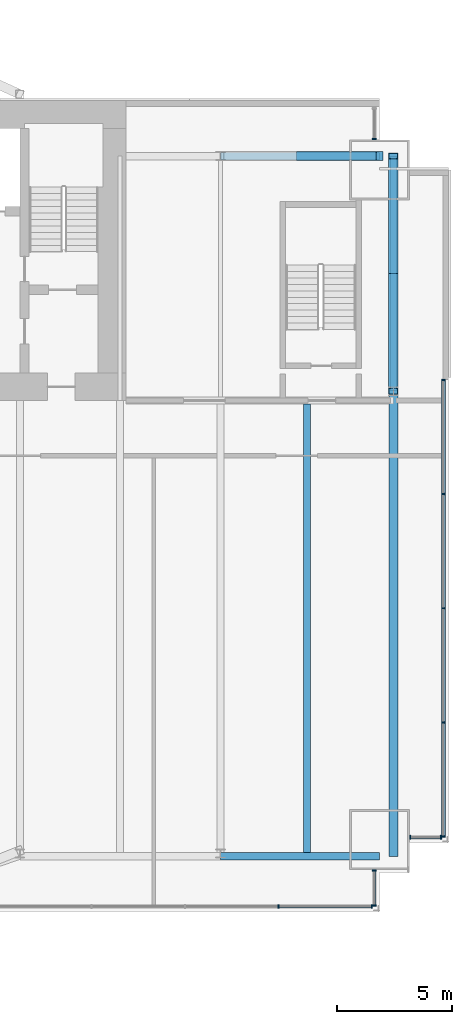
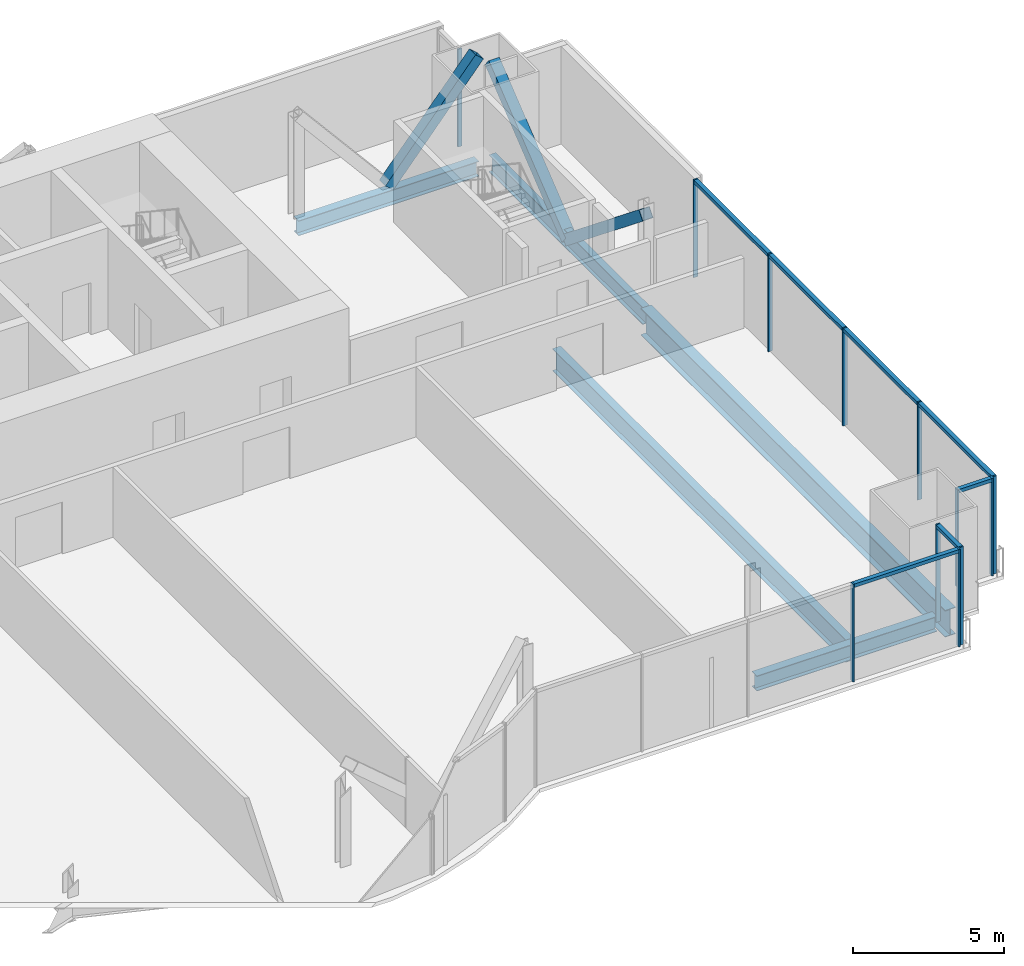
# One storey, part 12 of 21: 22 members, 5 beams, 5 elements without a shape of their own.
"""IFC4 building model written with IfcOpenShell, lengths in metres."""

from ifc_helpers import new_model, si_unit, direction, frame, origin, origin_2d, place, context, subcontext, project, spatial, rectangle, hollow_rectangle, i_section, extrude, material, material_profile, profile_set, type_object, element, aggregate, save


model = new_model("IFC4")

# Units and contexts
model_context = context("Model", 3, precision=1e-05, world=origin(), true_north=direction((0.0, 1.0)))
body_context = subcontext(model_context, "Body", "Model", "MODEL_VIEW")
ifc_project = project(units=[si_unit("LENGTHUNIT", "METRE"), si_unit("AREAUNIT", "SQUARE_METRE"), si_unit("VOLUMEUNIT", "CUBIC_METRE"), si_unit("PLANEANGLEUNIT", "RADIAN"), si_unit("MASSUNIT", "GRAM", prefix="KILO")], contexts=[model_context])

# Site, building, storey
site_placement = place(None, origin())
site = spatial("IfcSite", under=ifc_project, at=site_placement, CompositionType="ELEMENT")
building_placement = place(site_placement, origin())
building = spatial("IfcBuilding", under=site, at=building_placement, Name="Bicima Exchange Tower", CompositionType="ELEMENT")
storey_placement = place(building_placement, frame((0.0, 0.0, 156.800048828125)))
storey = spatial("IfcBuildingStorey", under=building, at=storey_placement, Name="L34", CompositionType="ELEMENT", Elevation=156.800048828125)

# Curtain wall, members
ifc_material_1 = material(Name="Anodised bronze aluminium", Category="aluminium")
curtain_wall_type_1 = type_object("IfcCurtainWallType", Name="End face glass wall", PredefinedType="NOTDEFINED", material=ifc_material_1)
curtain_wall_1_placement = place(storey_placement, origin())
curtain_wall_1 = element("IfcCurtainWall", 1, at=curtain_wall_1_placement, inside=storey, type_object=curtain_wall_type_1, Name="End face glass wall L34 run 19", PredefinedType="NOTDEFINED")
ifc_material_profile_1 = material_profile(ifc_material_1, rectangle(XDim=0.159912109375, YDim=0.06005859375, at=origin_2d()))
ifc_profile_set_1 = profile_set([ifc_material_profile_1], Name="Anodised bronze aluminium")
member_type_1 = type_object("IfcMemberType", Name="End face glass wall mullion 60 x 160", PredefinedType="MULLION", material=ifc_profile_set_1)
member_1_placement = place(storey_placement, frame((35.77001953125, -31.907958984375, 0.0), z_axis=(0.0, 0.0, 1.0), x_axis=(-1.0, 0.0, 0.0)))
member_1 = element("IfcMember", 2, at=member_1_placement, type_object=member_type_1, Name="End face glass wall mullion 1", PredefinedType="MULLION", context=body_context, shape_type="SweptSolid", body=[
    extrude(rectangle(XDim=0.159912109375, YDim=0.06005859375, at=origin_2d()), origin(), (0.0, 0.0, 1.0), 3.949951171875),
])
member_2_placement = place(storey_placement, frame((35.77001953125, -26.95849609375, 0.0), z_axis=(0.0, 0.0, 1.0), x_axis=(-1.0, 0.0, 0.0)))
member_2 = element("IfcMember", 3, at=member_2_placement, type_object=member_type_1, Name="End face glass wall mullion 2", PredefinedType="MULLION", context=body_context, shape_type="SweptSolid", body=[
    extrude(rectangle(XDim=0.159912109375, YDim=0.06005859375, at=origin_2d()), origin(), (0.0, 0.0, 1.0), 3.949951171875),
])
member_3_placement = place(storey_placement, frame((35.77001953125, -22.009033203125, 0.0), z_axis=(0.0, 0.0, 1.0), x_axis=(-1.0, 0.0, 0.0)))
member_3 = element("IfcMember", 4, at=member_3_placement, type_object=member_type_1, Name="End face glass wall mullion 3", PredefinedType="MULLION", context=body_context, shape_type="SweptSolid", body=[
    extrude(rectangle(XDim=0.159912109375, YDim=0.06005859375, at=origin_2d()), origin(), (0.0, 0.0, 1.0), 3.949951171875),
])
member_4_placement = place(storey_placement, frame((35.77001953125, -17.0595703125, 0.0), z_axis=(0.0, 0.0, 1.0), x_axis=(-1.0, 0.0, 0.0)))
member_4 = element("IfcMember", 5, at=member_4_placement, type_object=member_type_1, Name="End face glass wall mullion 4", PredefinedType="MULLION", context=body_context, shape_type="SweptSolid", body=[
    extrude(rectangle(XDim=0.159912109375, YDim=0.06005859375, at=origin_2d()), origin(), (0.0, 0.0, 1.0), 3.949951171875),
])
member_5_placement = place(storey_placement, frame((35.77001953125, -12.110107421875, 0.0), z_axis=(0.0, 0.0, 1.0), x_axis=(-1.0, 0.0, 0.0)))
member_5 = element("IfcMember", 6, at=member_5_placement, type_object=member_type_1, Name="End face glass wall mullion 5", PredefinedType="MULLION", context=body_context, shape_type="SweptSolid", body=[
    extrude(rectangle(XDim=0.159912109375, YDim=0.06005859375, at=origin_2d()), origin(), (0.0, 0.0, 1.0), 3.949951171875),
])
ifc_material_profile_2 = material_profile(ifc_material_1, rectangle(XDim=0.159912109375, YDim=0.139892578125, at=origin_2d()))
ifc_profile_set_2 = profile_set([ifc_material_profile_2], Name="Anodised bronze aluminium")
member_type_2 = type_object("IfcMemberType", Name="End face glass wall transom 140 x 160", PredefinedType="USERDEFINED", material=ifc_profile_set_2)
member_6_placement = place(storey_placement, frame((35.77001953125, -31.8779296875, 3.8798828125), z_axis=(0.0, 1.0, 0.0), x_axis=(-1.0, 0.0, 0.0)))
member_6 = element("IfcMember", 7, at=member_6_placement, type_object=member_type_2, Name="End face glass wall transom 1.1", ObjectType="TRANSOM", PredefinedType="USERDEFINED", context=body_context, shape_type="SweptSolid", body=[
    extrude(rectangle(XDim=0.159912109375, YDim=0.139892578125, at=origin_2d()), origin(), (0.0, 0.0, 1.0), 4.889404296875),
])
member_7_placement = place(storey_placement, frame((35.77001953125, -26.928466796875, 3.8798828125), z_axis=(0.0, 1.0, 0.0), x_axis=(-1.0, 0.0, 0.0)))
member_7 = element("IfcMember", 8, at=member_7_placement, type_object=member_type_2, Name="End face glass wall transom 2.1", ObjectType="TRANSOM", PredefinedType="USERDEFINED", context=body_context, shape_type="SweptSolid", body=[
    extrude(rectangle(XDim=0.159912109375, YDim=0.139892578125, at=origin_2d()), origin(), (0.0, 0.0, 1.0), 4.889404296875),
])
member_8_placement = place(storey_placement, frame((35.77001953125, -21.97900390625, 3.8798828125), z_axis=(0.0, 1.0, 0.0), x_axis=(-1.0, 0.0, 0.0)))
member_8 = element("IfcMember", 9, at=member_8_placement, type_object=member_type_2, Name="End face glass wall transom 3.1", ObjectType="TRANSOM", PredefinedType="USERDEFINED", context=body_context, shape_type="SweptSolid", body=[
    extrude(rectangle(XDim=0.159912109375, YDim=0.139892578125, at=origin_2d()), origin(), (0.0, 0.0, 1.0), 4.889404296875),
])
member_9_placement = place(storey_placement, frame((35.77001953125, -17.029541015625, 3.8798828125), z_axis=(0.0, 1.0, 0.0), x_axis=(-1.0, 0.0, 0.0)))
member_9 = element("IfcMember", 10, at=member_9_placement, type_object=member_type_2, Name="End face glass wall transom 4.1", ObjectType="TRANSOM", PredefinedType="USERDEFINED", context=body_context, shape_type="SweptSolid", body=[
    extrude(rectangle(XDim=0.159912109375, YDim=0.139892578125, at=origin_2d()), origin(), (0.0, 0.0, 1.0), 4.8896484375),
])
aggregate(curtain_wall_1, [member_1, member_2, member_3, member_4, member_5, member_6, member_7, member_8, member_9])

# Beams
ifc_material_2 = material(Name="Steel ASTM A992 Gr 50", Category="steel")
ifc_material_profile_3 = material_profile(ifc_material_2, i_section(OverallWidth=0.256591796875, OverallDepth=0.693359375, WebThickness=0.014404296875, FlangeThickness=0.023681640625, at=origin_2d()))
ifc_profile_set_3 = profile_set([ifc_material_profile_3], Name="Steel ASTM A992 Gr 50")
beam_type_1 = type_object("IfcBeamType", Name="End girder W27x114", PredefinedType="BEAM", material=ifc_profile_set_3)
beam_1_placement = place(storey_placement, frame((33.60009765625, -2.39990234375, -0.496826171875), z_axis=(0.0, -1.0, 0.0), x_axis=(1.0, 0.0, 0.0)))
element("IfcBeam", 11, at=beam_1_placement, inside=storey, type_object=beam_type_1, Name="End girder", PredefinedType="BEAM", context=body_context, shape_type="SweptSolid", body=[
    extrude(i_section(OverallWidth=0.256591796875, OverallDepth=0.693359375, WebThickness=0.014404296875, FlangeThickness=0.023681640625, at=origin_2d()), origin(), (0.0, 0.0, 1.0), 10.2001953125),
])
ifc_material_profile_4 = material_profile(ifc_material_2, i_section(OverallWidth=0.4013671875, OverallDepth=1.089599609375, WebThickness=0.01806640625, FlangeThickness=0.031005859375, at=origin_2d()))
ifc_profile_set_4 = profile_set([ifc_material_profile_4], Name="Steel ASTM A992 Gr 50")
beam_type_2 = type_object("IfcBeamType", Name="End girder W44x230", PredefinedType="BEAM", material=ifc_profile_set_4)
beam_2_placement = place(storey_placement, frame((33.60009765625, -12.60009765625, -0.69482421875), z_axis=(0.0, -1.0, 0.0), x_axis=(1.0, 0.0, 0.0)))
element("IfcBeam", 12, at=beam_2_placement, inside=storey, type_object=beam_type_2, Name="End girder", PredefinedType="BEAM", context=body_context, shape_type="SweptSolid", body=[
    extrude(i_section(OverallWidth=0.4013671875, OverallDepth=1.089599609375, WebThickness=0.01806640625, FlangeThickness=0.031005859375, at=origin_2d()), origin(), (0.0, 0.0, 1.0), 20.16796875),
])
ifc_material_profile_5 = material_profile(ifc_material_2, i_section(OverallWidth=0.3046875, OverallDepth=0.904296875, WebThickness=0.01513671875, FlangeThickness=0.02001953125, at=origin_2d()))
ifc_profile_set_5 = profile_set([ifc_material_profile_5], Name="Steel ASTM A992 Gr 50")
beam_type_3 = type_object("IfcBeamType", Name="Floor beam W36x135", PredefinedType="JOIST", material=ifc_profile_set_5)
beam_3_placement = place(storey_placement, frame((29.85009765625, -13.15234375, -0.60205078125), z_axis=(0.0, -1.0, 0.0), x_axis=(1.0, 0.0, 0.0)))
element("IfcBeam", 13, at=beam_3_placement, inside=storey, type_object=beam_type_3, Name="Floor beam", PredefinedType="JOIST", context=body_context, shape_type="SweptSolid", body=[
    extrude(i_section(OverallWidth=0.3046875, OverallDepth=0.904296875, WebThickness=0.01513671875, FlangeThickness=0.02001953125, at=origin_2d()), origin(), (0.0, 0.0, 1.0), 19.453125),
])
ifc_material_profile_6 = material_profile(ifc_material_2, i_section(OverallWidth=0.3251953125, OverallDepth=0.612060546875, WebThickness=0.0126953125, FlangeThickness=0.01904296875, at=origin_2d()))
ifc_profile_set_6 = profile_set([ifc_material_profile_6], Name="Steel ASTM A992 Gr 50")
beam_type_4 = type_object("IfcBeamType", Name="Front girder W24x104", PredefinedType="BEAM", material=ifc_profile_set_6)
beam_4_placement = place(storey_placement, frame((26.10009765625, -32.76806640625, -0.4560546875), z_axis=(1.0, 0.0, 0.0), x_axis=(0.0, 1.0, 0.0)))
element("IfcBeam", 14, at=beam_4_placement, inside=storey, type_object=beam_type_4, Name="Front girder", PredefinedType="BEAM", context=body_context, shape_type="SweptSolid", body=[
    extrude(i_section(OverallWidth=0.3251953125, OverallDepth=0.612060546875, WebThickness=0.0126953125, FlangeThickness=0.01904296875, at=origin_2d()), origin(), (0.0, 0.0, 1.0), 6.89990234375),
])

# Curtain wall, members
curtain_wall_type_2 = type_object("IfcCurtainWallType", Name="Front glass wall", PredefinedType="NOTDEFINED", material=ifc_material_1)
curtain_wall_2_placement = place(storey_placement, origin())
curtain_wall_2 = element("IfcCurtainWall", 15, at=curtain_wall_2_placement, inside=storey, type_object=curtain_wall_type_2, Name="Front glass wall L34 run 16", PredefinedType="NOTDEFINED")
member_type_3 = type_object("IfcMemberType", Name="Front glass wall mullion 60 x 160", PredefinedType="MULLION", material=ifc_profile_set_1)
member_10_placement = place(storey_placement, frame((28.610595703125, -34.93798828125, 0.0), z_axis=(0.0, 0.0, 1.0), x_axis=(0.0, 1.0, 0.0)))
member_10 = element("IfcMember", 16, at=member_10_placement, type_object=member_type_3, Name="Front glass wall mullion 4", PredefinedType="MULLION", context=body_context, shape_type="SweptSolid", body=[
    extrude(rectangle(XDim=0.159912109375, YDim=0.06005859375, at=origin_2d()), origin(), (0.0, 0.0, 1.0), 3.949951171875),
])
member_11_placement = place(storey_placement, frame((32.659912109375, -34.93798828125, 0.0), z_axis=(0.0, 0.0, 1.0), x_axis=(0.0, 1.0, 0.0)))
member_11 = element("IfcMember", 17, at=member_11_placement, type_object=member_type_3, Name="Front glass wall mullion 5", PredefinedType="MULLION", context=body_context, shape_type="SweptSolid", body=[
    extrude(rectangle(XDim=0.159912109375, YDim=0.06005859375, at=origin_2d()), origin(), (0.0, 0.0, 1.0), 3.949951171875),
])

curtain_wall_3_placement = place(storey_placement, origin())
curtain_wall_3 = element("IfcCurtainWall", 18, at=curtain_wall_3_placement, inside=storey, type_object=curtain_wall_type_2, Name="Front glass wall L34 run 17", PredefinedType="NOTDEFINED")
member_12_placement = place(storey_placement, frame((32.77001953125, -34.907958984375, 0.0), z_axis=(0.0, 0.0, 1.0), x_axis=(-1.0, 0.0, 0.0)))
member_12 = element("IfcMember", 19, at=member_12_placement, type_object=member_type_3, Name="Front glass wall mullion 1", PredefinedType="MULLION", context=body_context, shape_type="SweptSolid", body=[
    extrude(rectangle(XDim=0.159912109375, YDim=0.06005859375, at=origin_2d()), origin(), (0.0, 0.0, 1.0), 3.949951171875),
])
member_13_placement = place(storey_placement, frame((32.77001953125, -33.3759765625, 0.0), z_axis=(0.0, 0.0, 1.0), x_axis=(-1.0, 0.0, 0.0)))
member_13 = element("IfcMember", 20, at=member_13_placement, type_object=member_type_3, Name="Front glass wall mullion 2", PredefinedType="MULLION", context=body_context, shape_type="SweptSolid", body=[
    extrude(rectangle(XDim=0.159912109375, YDim=0.06005859375, at=origin_2d()), origin(), (0.0, 0.0, 1.0), 3.949951171875),
])

curtain_wall_4_placement = place(storey_placement, origin())
curtain_wall_4 = element("IfcCurtainWall", 21, at=curtain_wall_4_placement, inside=storey, type_object=curtain_wall_type_2, Name="Front glass wall L34 run 18", PredefinedType="NOTDEFINED")
member_14_placement = place(storey_placement, frame((34.330078125, -31.93798828125, 0.0), z_axis=(0.0, 0.0, 1.0), x_axis=(0.0, 1.0, 0.0)))
member_14 = element("IfcMember", 22, at=member_14_placement, type_object=member_type_3, Name="Front glass wall mullion 1", PredefinedType="MULLION", context=body_context, shape_type="SweptSolid", body=[
    extrude(rectangle(XDim=0.159912109375, YDim=0.06005859375, at=origin_2d()), origin(), (0.0, 0.0, 1.0), 3.949951171875),
])
member_15_placement = place(storey_placement, frame((35.659912109375, -31.93798828125, 0.0), z_axis=(0.0, 0.0, 1.0), x_axis=(0.0, 1.0, 0.0)))
member_15 = element("IfcMember", 23, at=member_15_placement, type_object=member_type_3, Name="Front glass wall mullion 2", PredefinedType="MULLION", context=body_context, shape_type="SweptSolid", body=[
    extrude(rectangle(XDim=0.159912109375, YDim=0.06005859375, at=origin_2d()), origin(), (0.0, 0.0, 1.0), 3.949951171875),
])

# Curtain wall, member
curtain_wall_5_placement = place(storey_placement, origin())
curtain_wall_5 = element("IfcCurtainWall", 24, at=curtain_wall_5_placement, inside=storey, type_object=curtain_wall_type_2, Name="Front glass wall L34 run 20", PredefinedType="NOTDEFINED")
member_16_placement = place(storey_placement, frame((32.77001953125, -1.669921875, 0.0), z_axis=(0.0, 0.0, 1.0), x_axis=(-1.0, 0.0, 0.0)))
member_16 = element("IfcMember", 25, at=member_16_placement, type_object=member_type_3, Name="Front glass wall mullion 1", PredefinedType="MULLION", context=body_context, shape_type="SweptSolid", body=[
    extrude(rectangle(XDim=0.159912109375, YDim=0.06005859375, at=origin_2d()), origin(), (0.0, 0.0, 1.0), 3.949951171875),
])
aggregate(curtain_wall_5, [member_16])

# Member
member_type_4 = type_object("IfcMemberType", Name="Front glass wall transom 140 x 160", PredefinedType="USERDEFINED", material=ifc_profile_set_2)
member_17_placement = place(storey_placement, frame((28.640380859375, -34.93798828125, 3.8798828125), z_axis=(1.0, 0.0, 0.0), x_axis=(0.0, 1.0, 0.0)))
member_17 = element("IfcMember", 26, at=member_17_placement, type_object=member_type_4, Name="Front glass wall transom 4.1", ObjectType="TRANSOM", PredefinedType="USERDEFINED", context=body_context, shape_type="SweptSolid", body=[
    extrude(rectangle(XDim=0.159912109375, YDim=0.139892578125, at=origin_2d()), origin(), (0.0, 0.0, 1.0), 3.989501953125),
])

aggregate(curtain_wall_2, [member_10, member_11, member_17])

member_18_placement = place(storey_placement, frame((32.77001953125, -34.8779296875, 3.8798828125), z_axis=(0.0, 1.0, 0.0), x_axis=(-1.0, 0.0, 0.0)))
member_18 = element("IfcMember", 27, at=member_18_placement, type_object=member_type_4, Name="Front glass wall transom 1.1", ObjectType="TRANSOM", PredefinedType="USERDEFINED", context=body_context, shape_type="SweptSolid", body=[
    extrude(rectangle(XDim=0.159912109375, YDim=0.139892578125, at=origin_2d()), origin(), (0.0, 0.0, 1.0), 1.471923828125),
])

aggregate(curtain_wall_3, [member_12, member_13, member_18])

member_19_placement = place(storey_placement, frame((34.360107421875, -31.93798828125, 3.8798828125), z_axis=(1.0, 0.0, 0.0), x_axis=(0.0, 1.0, 0.0)))
member_19 = element("IfcMember", 28, at=member_19_placement, type_object=member_type_4, Name="Front glass wall transom 1.1", ObjectType="TRANSOM", PredefinedType="USERDEFINED", context=body_context, shape_type="SweptSolid", body=[
    extrude(rectangle(XDim=0.159912109375, YDim=0.139892578125, at=origin_2d()), origin(), (0.0, 0.0, 1.0), 1.269775390625),
])

aggregate(curtain_wall_4, [member_14, member_15, member_19])

# Members
ifc_material_3 = material(Name="Steel ASTM A572 Gr 50", Category="steel")
ifc_material_profile_7 = material_profile(ifc_material_3, hollow_rectangle(XDim=0.406494140625, YDim=0.406494140625, WallThickness=0.017822265625, at=origin_2d()))
ifc_profile_set_7 = profile_set([ifc_material_profile_7], Name="Steel ASTM A572 Gr 50")
member_type_5 = type_object("IfcMemberType", Name="Mega brace HSS16x16x3/4", PredefinedType="BRACE", material=ifc_profile_set_7)
member_20_placement = place(storey_placement, frame((29.550048828125, -2.39990234375, 0.0), z_axis=(0.643856488545, 0.0, 0.765146275008), x_axis=(0.0, 1.0, 0.0)))
element("IfcMember", 29, at=member_20_placement, inside=storey, type_object=member_type_5, Name="Mega brace rear", PredefinedType="BRACE", context=body_context, shape_type="SweptSolid", body=[
    extrude(hollow_rectangle(XDim=0.406494140625, YDim=0.406494140625, WallThickness=0.017822265625, at=origin_2d()), origin(), (0.0, 0.0, 1.0), 5.358154296875),
])
for number, where, z_axis, x_axis, name in (
    (30, (33.60009765625, -7.5, -0.496826171875), (0.0, -0.779374241895, 0.626558689247), (1.0, 0.0, 0.0), "Mega brace east end"),
    (31, (33.60009765625, -7.5, -0.496826171875), (0.0, 0.779374241895, 0.626558689247), (-1.0, 0.0, 0.0), "Mega brace east end"),
):
    element("IfcMember", number, at=place(storey_placement, frame(where, z_axis=z_axis, x_axis=x_axis)), inside=storey, type_object=member_type_5, Name=name, PredefinedType="BRACE", context=body_context, shape_type="SweptSolid", body=[
        extrude(hollow_rectangle(XDim=0.406494140625, YDim=0.406494140625, WallThickness=0.017822265625, at=origin_2d()), origin(), (0.0, 0.0, 1.0), 6.5439453125),
    ])

# Beam
beam_type_5 = type_object("IfcBeamType", Name="Rear girder W24x104", PredefinedType="BEAM", material=ifc_profile_set_6)
beam_5_placement = place(storey_placement, frame((26.10009765625, -2.39990234375, -0.4560546875), z_axis=(1.0, 0.0, 0.0), x_axis=(0.0, 1.0, 0.0)))
element("IfcBeam", 32, at=beam_5_placement, inside=storey, type_object=beam_type_5, Name="Rear girder", PredefinedType="BEAM", context=body_context, shape_type="SweptSolid", body=[
    extrude(i_section(OverallWidth=0.3251953125, OverallDepth=0.612060546875, WebThickness=0.0126953125, FlangeThickness=0.01904296875, at=origin_2d()), origin(), (0.0, 0.0, 1.0), 6.89990234375),
])

save(model, "model.ifc")
